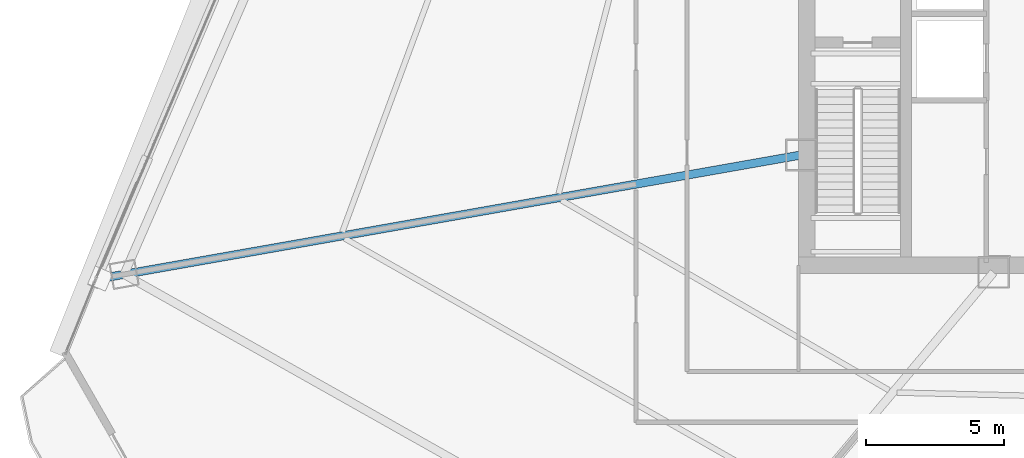
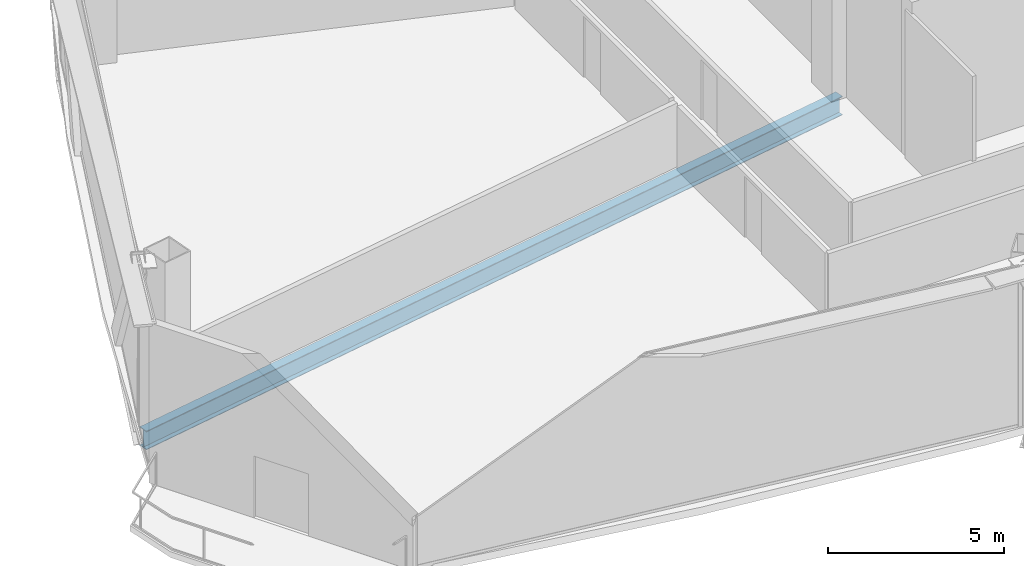
# One storey, part 5 of 40: 1 beam.
"""IFC4 building model written with IfcOpenShell, lengths in metres."""

from ifc_helpers import new_model, si_unit, direction, frame, origin, origin_2d, place, context, subcontext, project, spatial, i_section, extrude, source, transform, mapped, material, material_profile, profile_set, type_object, element, save


model = new_model("IFC4")

# Units and contexts
model_context = context("Model", 3, precision=1e-05, world=origin(), true_north=direction((0.0, 1.0)))
body_context = subcontext(model_context, "Body", "Model", "MODEL_VIEW")
ifc_project = project(units=[si_unit("LENGTHUNIT", "METRE"), si_unit("AREAUNIT", "SQUARE_METRE"), si_unit("VOLUMEUNIT", "CUBIC_METRE"), si_unit("PLANEANGLEUNIT", "RADIAN"), si_unit("MASSUNIT", "GRAM", prefix="KILO"), si_unit("THERMODYNAMICTEMPERATUREUNIT", "KELVIN"), si_unit("POWERUNIT", "WATT")], contexts=[model_context])

# Site, building, storey
site_placement = place(None, origin())
site = spatial("IfcSite", under=ifc_project, at=site_placement, CompositionType="ELEMENT")
building_placement = place(site_placement, origin())
building = spatial("IfcBuilding", under=site, at=building_placement, Name="Yunzhuo Pagoda Commons", CompositionType="ELEMENT")
storey_placement = place(building_placement, frame((0.0, 0.0, 170.31005859375)))
storey = spatial("IfcBuildingStorey", under=building, at=storey_placement, Name="L43", CompositionType="ELEMENT", Elevation=170.31005859375)

# Beam
ifc_material = material(Name="Structural steel Q355B", Category="steel")
ifc_material_profile = material_profile(ifc_material, i_section(OverallWidth=0.300048828125, OverallDepth=0.64990234375, WebThickness=0.012939453125, FlangeThickness=0.02197265625, at=origin_2d()), Name="Structural steel Q355B")
ifc_profile_set = profile_set([ifc_material_profile], Name="Structural steel Q355B")
beam_type = type_object("IfcBeamType", Name="B-RG2 Beam HN 650x300x13x22", PredefinedType="BEAM", material=ifc_profile_set)
shared_shape = source(origin(), body_context, "Body", "SweptSolid", [
    extrude(i_section(OverallWidth=0.300048828125, OverallDepth=0.64990234375, WebThickness=0.012939453125, FlangeThickness=0.02197265625, at=origin_2d()), origin(), (0.0, 0.0, 1.0), 25.87158203125),
])
beam_placement = place(storey_placement, frame((10.12158203125, 27.02099609375, -0.5849609375), z_axis=(0.98480853359, 0.173643750734, 0.0), x_axis=(-0.173643750734, 0.98480853359, 0.0)))
element("IfcBeam", 1, at=beam_placement, inside=storey, type_object=beam_type, Name="L43 radial floor girder F3C4", PredefinedType="BEAM", context=body_context, shape_type="MappedRepresentation", body=[
    mapped(shared_shape, transform((0.0, 0.0, 0.0), scale=1.0)),
])

save(model, "model.ifc")
